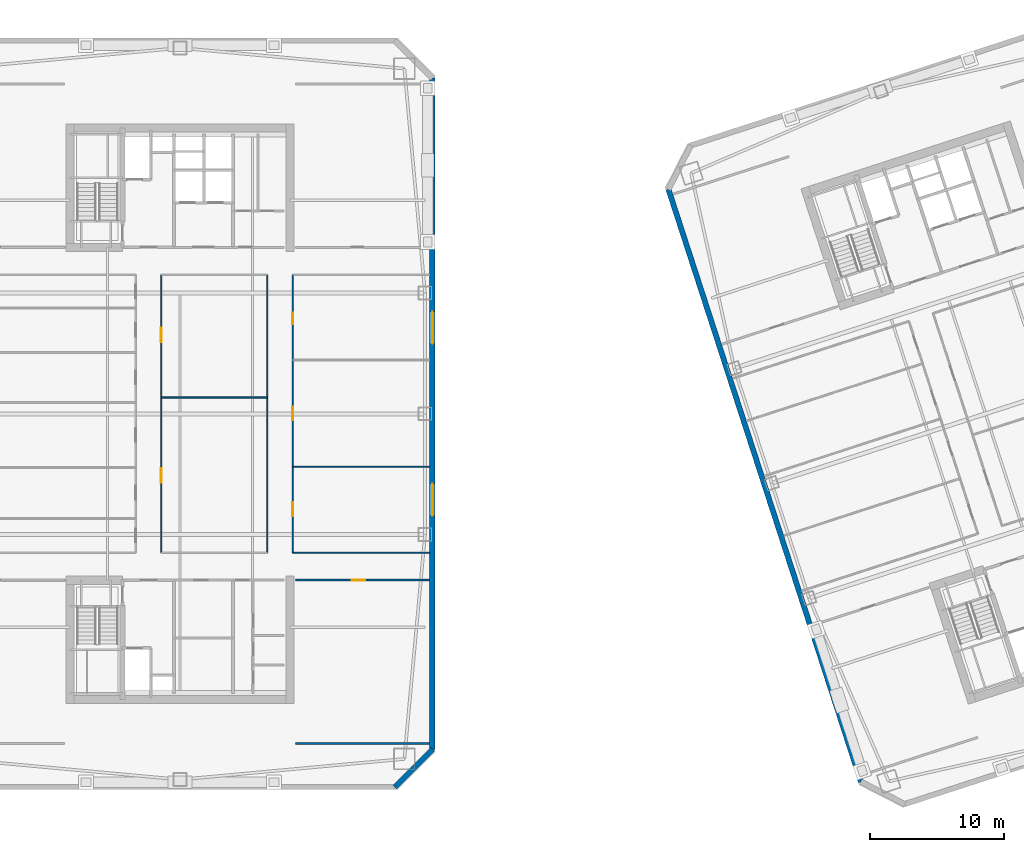
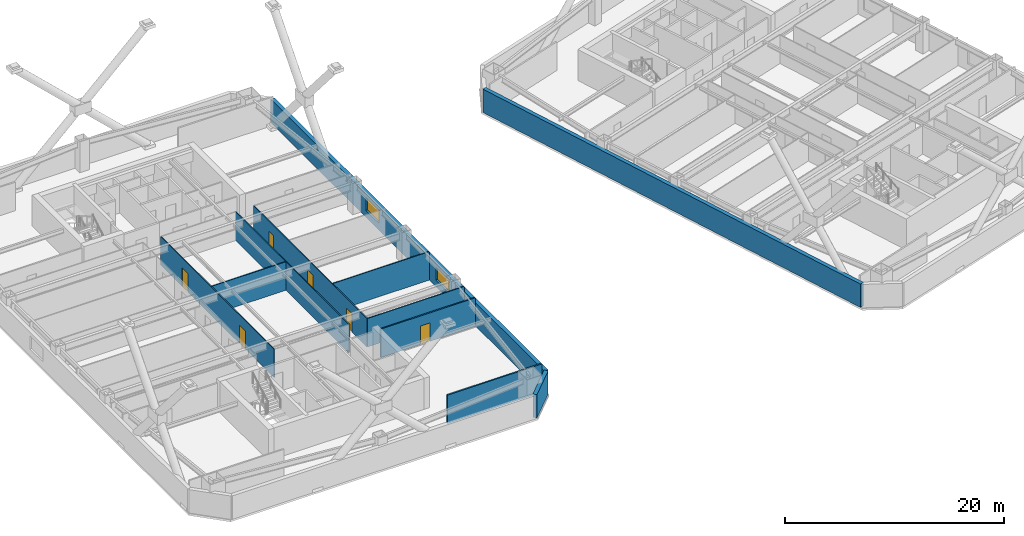
# One storey, part 5 of 12: 11 walls, 6 doors, 2 windows, 8 openings.
"""IFC4 building model written with IfcOpenShell, lengths in metres."""

from ifc_helpers import new_model, si_unit, direction, frame, frame_2d, origin, place, context, subcontext, project, spatial, rectangle, extrude, material, layer, layer_set, type_object, element, fill, save


model = new_model("IFC4")

# Units and contexts
model_context = context("Model", 3, precision=1e-05, world=origin(), true_north=direction((0.0, 1.0)))
body_context = subcontext(model_context, "Body", "Model", "MODEL_VIEW")
ifc_project = project(units=[si_unit("LENGTHUNIT", "METRE"), si_unit("AREAUNIT", "SQUARE_METRE"), si_unit("VOLUMEUNIT", "CUBIC_METRE"), si_unit("PLANEANGLEUNIT", "RADIAN"), si_unit("MASSUNIT", "GRAM", prefix="KILO")], contexts=[model_context])

# Site, building, storey
site_placement = place(None, origin())
site = spatial("IfcSite", under=ifc_project, at=site_placement, CompositionType="ELEMENT")
building_placement = place(site_placement, origin())
building = spatial("IfcBuilding", under=site, at=building_placement, Name="Qiaolan Cultural Towers", CompositionType="ELEMENT")
storey_placement = place(building_placement, frame((0.0, 0.0, 106.949951171875)))
storey = spatial("IfcBuildingStorey", under=building, at=storey_placement, Name="L27", CompositionType="ELEMENT", Elevation=106.949951171875)

# Wall, openings, windows
ifc_material_1 = material(Name="Precast Concrete C50 Honed Stone Pier", Category="masonry")
ifc_layer_1 = layer(ifc_material_1, 0.39990234375)
ifc_layer_set_1 = layer_set([ifc_layer_1], Name="Precast Concrete C50 Honed Stone Pier")
wall_type_1 = type_object("IfcWallType", Name="WL-EXT-PIER-400", PredefinedType="SOLIDWALL", material=ifc_layer_set_1)
wall_1_placement = place(storey_placement, frame((48.800048828125, 59.0, 0.0), z_axis=(0.0, 0.0, 1.0), x_axis=(0.0, -1.0, 0.0)))
wall_1 = element("IfcWall", 1, at=wall_1_placement, inside=storey, type_object=wall_type_1, Name="L27 West Tower Precast Pier Facade Wall F5", PredefinedType="SOLIDWALL", context=body_context, shape_type="SweptSolid", body=[
    extrude(rectangle(XDim=50.0, YDim=0.39990234375, at=frame_2d((25.0, 0.0))), origin(), (0.0, 0.0, 1.0), 2.610107421875),
])
opening_1_placement = place(wall_1_placement, frame((30.199951171875, 0.0, 0.75)))
opening_1 = element("IfcOpeningElement", 2, at=opening_1_placement, cuts=wall_1, Name="Opening W-02", PredefinedType="OPENING", context=body_context, shape_type="SweptSolid", body=[
    extrude(rectangle(XDim=2.39990234375, YDim=1.4599609375, at=frame_2d((1.199951171875, 0.72998046875))), frame((0.0, 0.2099609375, 0.0), z_axis=(0.0, -1.0, 0.0), x_axis=(1.0, 0.0, 0.0)), (0.0, 0.0, 1.0), 0.419921875),
])
opening_2_placement = place(wall_1_placement, frame((17.39990234375, 0.0, 0.75)))
opening_2 = element("IfcOpeningElement", 3, at=opening_2_placement, cuts=wall_1, Name="Opening W-02", PredefinedType="OPENING", context=body_context, shape_type="SweptSolid", body=[
    extrude(rectangle(XDim=2.39990234375, YDim=1.4599609375, at=frame_2d((1.199951171875, 0.72998046875))), frame((0.0, 0.2099609375, 0.0), z_axis=(0.0, -1.0, 0.0), x_axis=(1.0, 0.0, 0.0)), (0.0, 0.0, 1.0), 0.419921875),
])
ifc_material_2 = material(Name="Thermally Broken Aluminium Triple Low-E Glazing", Category="aluminium")
window_type = type_object("IfcWindowType", Name="WN-CHIC-2400", PartitioningType="SINGLE_PANEL", PredefinedType="WINDOW", material=ifc_material_2)
window_1_placement = place(opening_1_placement, origin())
window_1 = element("IfcWindow", 4, at=window_1_placement, inside=storey, type_object=window_type, Name="L27 T1 E Chicago Bay Window 1", OverallHeight=1.4599609375, OverallWidth=2.39990234375, PartitioningType="TRIPLE_PANEL_VERTICAL", PredefinedType="WINDOW", context=body_context, shape_type="SweptSolid", body=[
    extrude(rectangle(XDim=2.39990234375, YDim=1.4599609375, at=frame_2d((1.199951171875, 0.72998046875))), frame((0.0, 0.030029296875, 0.0), z_axis=(0.0, -1.0, 0.0), x_axis=(1.0, 0.0, 0.0)), (0.0, 0.0, 1.0), 0.06005859375),
])
fill(opening_1, window_1)
window_2_placement = place(opening_2_placement, origin())
window_2 = element("IfcWindow", 5, at=window_2_placement, inside=storey, type_object=window_type, Name="L27 T1 E Chicago Bay Window 2", OverallHeight=1.4599609375, OverallWidth=2.39990234375, PartitioningType="TRIPLE_PANEL_VERTICAL", PredefinedType="WINDOW", context=body_context, shape_type="SweptSolid", body=[
    extrude(rectangle(XDim=2.39990234375, YDim=1.4599609375, at=frame_2d((1.199951171875, 0.72998046875))), frame((0.0, 0.030029296875, 0.0), z_axis=(0.0, -1.0, 0.0), x_axis=(1.0, 0.0, 0.0)), (0.0, 0.0, 1.0), 0.06005859375),
])
fill(opening_2, window_2)

# Walls
wall_2_placement = place(storey_placement, frame((48.800048828125, 9.0, 0.0), z_axis=(0.0, 0.0, 1.0), x_axis=(-0.707106781187, -0.707106781187, 0.0)))
element("IfcWall", 6, at=wall_2_placement, inside=storey, type_object=wall_type_1, Name="L27 West Tower Precast Pier Facade Wall F6", PredefinedType="SOLIDWALL", context=body_context, shape_type="SweptSolid", body=[
    extrude(rectangle(XDim=3.9599609375, YDim=0.39990234375, at=frame_2d((1.97998046875, 0.0))), origin(), (0.0, 0.0, 1.0), 2.610107421875),
])
wall_3_placement = place(storey_placement, frame((80.7158203125, 6.589599609375, 0.0), z_axis=(0.0, 0.0, 1.0), x_axis=(-0.309017542002, 0.95105633836, 0.0)))
element("IfcWall", 7, at=wall_3_placement, inside=storey, type_object=wall_type_1, Name="L27 East Tower Precast Pier Facade Wall F1", PredefinedType="SOLIDWALL", context=body_context, shape_type="SweptSolid", body=[
    extrude(rectangle(XDim=46.39990234375, YDim=0.39990234375, at=frame_2d((23.199951171875, 0.0))), origin(), (0.0, 0.0, 1.0), 2.610107421875),
])
ifc_material_3 = material(Name="Acoustic Double-Glazed Partition Frame", Category="glass")
ifc_layer_2 = layer(ifc_material_3, 0.10009765625)
ifc_layer_set_2 = layer_set([ifc_layer_2], Name="Acoustic Double-Glazed Partition Frame")
wall_type_2 = type_object("IfcWallType", Name="WL-GLAZED-100", PredefinedType="MOVABLE", material=ifc_layer_set_2)
wall_4_placement = place(storey_placement, frame((38.39990234375, 23.64990234375, 0.0), z_axis=(0.0, 0.0, 1.0), x_axis=(1.0, 0.0, 0.0)))
element("IfcWall", 8, at=wall_4_placement, inside=storey, type_object=wall_type_2, Name="L27 T1 Interior Wall", PredefinedType="MOVABLE", context=body_context, shape_type="SweptSolid", body=[
    extrude(rectangle(XDim=10.2001953125, YDim=0.10009765625, at=frame_2d((5.10009765625, 0.0))), origin(), (0.0, 0.0, 1.0), 3.175048828125),
])

# Wall, openings, doors
wall_5_placement = place(storey_placement, frame((28.60009765625, 23.64990234375, 0.0), z_axis=(0.0, 0.0, 1.0), x_axis=(0.0, 1.0, 0.0)))
wall_5 = element("IfcWall", 9, at=wall_5_placement, inside=storey, type_object=wall_type_2, Name="L27 T1 Interior Wall", PredefinedType="MOVABLE", context=body_context, shape_type="SweptSolid", body=[
    extrude(rectangle(XDim=20.7001953125, YDim=0.10009765625, at=frame_2d((10.35009765625, 0.0))), origin(), (0.0, 0.0, 1.0), 3.175048828125),
])
opening_3_placement = place(wall_5_placement, frame((5.197509765625, 0.0, 0.0)))
opening_3 = element("IfcOpeningElement", 10, at=opening_3_placement, cuts=wall_5, Name="Opening ID-03", PredefinedType="OPENING", context=body_context, shape_type="SweptSolid", body=[
    extrude(rectangle(XDim=1.10009765625, YDim=2.050048828125, at=frame_2d((0.550048828125, 1.02490234375))), frame((0.0, 0.06005859375, 0.0), z_axis=(0.0, -1.0, 0.0), x_axis=(1.0, 0.0, 0.0)), (0.0, 0.0, 1.0), 0.1201171875),
])
opening_4_placement = place(wall_5_placement, frame((15.66748046875, 0.0, 0.0)))
opening_4 = element("IfcOpeningElement", 11, at=opening_4_placement, cuts=wall_5, Name="Opening ID-03", PredefinedType="OPENING", context=body_context, shape_type="SweptSolid", body=[
    extrude(rectangle(XDim=1.10009765625, YDim=2.050048828125, at=frame_2d((0.550048828125, 1.02490234375))), frame((0.0, 0.06005859375, 0.0), z_axis=(0.0, -1.0, 0.0), x_axis=(1.0, 0.0, 0.0)), (0.0, 0.0, 1.0), 0.1201171875),
])
ifc_material_4 = material(Name="Oak Veneer Solid-Core Boardroom Door", Category="timber")
door_type_1 = type_object("IfcDoorType", Name="DR-INT-1100", OperationType="NOTDEFINED", PredefinedType="DOOR", material=ifc_material_4)
door_1_placement = place(opening_3_placement, origin())
door_1 = element("IfcDoor", 12, at=door_1_placement, inside=storey, type_object=door_type_1, Name="L27 T1 Central Boardroom Door", OperationType="SINGLE_SWING_LEFT", OverallHeight=2.050048828125, OverallWidth=1.10009765625, PredefinedType="DOOR", context=body_context, shape_type="SweptSolid", body=[
    extrude(rectangle(XDim=1.10009765625, YDim=2.050048828125, at=frame_2d((0.550048828125, 1.02490234375))), frame((0.0, 0.02490234375, 0.0), z_axis=(0.0, -1.0, 0.0), x_axis=(1.0, 0.0, 0.0)), (0.0, 0.0, 1.0), 0.050048828125),
])
fill(opening_3, door_1)
door_2_placement = place(opening_4_placement, origin())
door_2 = element("IfcDoor", 13, at=door_2_placement, inside=storey, type_object=door_type_1, Name="L27 T1 Central Archive Salon Door", OperationType="SINGLE_SWING_RIGHT", OverallHeight=2.050048828125, OverallWidth=1.10009765625, PredefinedType="DOOR", context=body_context, shape_type="SweptSolid", body=[
    extrude(rectangle(XDim=1.10009765625, YDim=2.050048828125, at=frame_2d((0.550048828125, 1.02490234375))), frame((0.0, 0.02490234375, 0.0), z_axis=(0.0, -1.0, 0.0), x_axis=(1.0, 0.0, 0.0)), (0.0, 0.0, 1.0), 0.050048828125),
])
fill(opening_4, door_2)

# Wall
wall_6_placement = place(storey_placement, frame((36.5, 23.64990234375, 0.0), z_axis=(0.0, 0.0, 1.0), x_axis=(0.0, 1.0, 0.0)))
element("IfcWall", 14, at=wall_6_placement, inside=storey, type_object=wall_type_2, Name="L27 T1 Interior Wall", PredefinedType="MOVABLE", context=body_context, shape_type="SweptSolid", body=[
    extrude(rectangle(XDim=20.7001953125, YDim=0.10009765625, at=frame_2d((10.35009765625, 0.0))), origin(), (0.0, 0.0, 1.0), 3.175048828125),
])

# Wall, openings, doors
wall_7_placement = place(storey_placement, frame((38.39990234375, 23.64990234375, 0.0), z_axis=(0.0, 0.0, 1.0), x_axis=(0.0, 1.0, 0.0)))
wall_7 = element("IfcWall", 15, at=wall_7_placement, inside=storey, type_object=wall_type_2, Name="L27 T1 Interior Wall", PredefinedType="MOVABLE", context=body_context, shape_type="SweptSolid", body=[
    extrude(rectangle(XDim=20.7001953125, YDim=0.10009765625, at=frame_2d((10.35009765625, 0.0))), origin(), (0.0, 0.0, 1.0), 3.175048828125),
])
opening_5_placement = place(wall_7_placement, frame((2.699462890625, 0.0, 0.0)))
opening_5 = element("IfcOpeningElement", 16, at=opening_5_placement, cuts=wall_7, Name="Opening ID-07", PredefinedType="OPENING", context=body_context, shape_type="SweptSolid", body=[
    extrude(rectangle(XDim=1.050048828125, YDim=2.050048828125, at=frame_2d((0.52490234375, 1.02490234375))), frame((0.0, 0.06005859375, 0.0), z_axis=(0.0, -1.0, 0.0), x_axis=(1.0, 0.0, 0.0)), (0.0, 0.0, 1.0), 0.1201171875),
])
opening_6_placement = place(wall_7_placement, frame((9.87451171875, 0.0, 0.0)))
opening_6 = element("IfcOpeningElement", 17, at=opening_6_placement, cuts=wall_7, Name="Opening ID-04", PredefinedType="OPENING", context=body_context, shape_type="SweptSolid", body=[
    extrude(rectangle(XDim=1.0, YDim=2.050048828125, at=frame_2d((0.5, 1.02490234375))), frame((0.0, 0.06005859375, 0.0), z_axis=(0.0, -1.0, 0.0), x_axis=(1.0, 0.0, 0.0)), (0.0, 0.0, 1.0), 0.1201171875),
])
opening_7_placement = place(wall_7_placement, frame((17.02490234375, 0.0, 0.0)))
opening_7 = element("IfcOpeningElement", 18, at=opening_7_placement, cuts=wall_7, Name="Opening ID-09", PredefinedType="OPENING", context=body_context, shape_type="SweptSolid", body=[
    extrude(rectangle(XDim=0.85009765625, YDim=2.050048828125, at=frame_2d((0.425048828125, 1.02490234375))), frame((0.0, 0.06005859375, 0.0), z_axis=(0.0, -1.0, 0.0), x_axis=(1.0, 0.0, 0.0)), (0.0, 0.0, 1.0), 0.1201171875),
])
ifc_material_5 = material(Name="Oak Veneer Acoustic Office Door", Category="timber")
door_type_2 = type_object("IfcDoorType", Name="DR-INT-1000", OperationType="NOTDEFINED", PredefinedType="DOOR", material=ifc_material_5)
door_3_placement = place(opening_6_placement, origin())
door_3 = element("IfcDoor", 19, at=door_3_placement, inside=storey, type_object=door_type_2, Name="L27 T1 Client Boardroom Door", OperationType="SINGLE_SWING_LEFT", OverallHeight=2.050048828125, OverallWidth=1.0, PredefinedType="DOOR", context=body_context, shape_type="SweptSolid", body=[
    extrude(rectangle(XDim=1.0, YDim=2.050048828125, at=frame_2d((0.5, 1.02490234375))), frame((0.0, 0.02490234375, 0.0), z_axis=(0.0, -1.0, 0.0), x_axis=(1.0, 0.0, 0.0)), (0.0, 0.0, 1.0), 0.050048828125),
])
fill(opening_6, door_3)
ifc_material_6 = material(Name="Oak Veneer Consultation Door", Category="timber")
door_type_3 = type_object("IfcDoorType", Name="DR-INT-1050", OperationType="NOTDEFINED", PredefinedType="DOOR", material=ifc_material_6)
door_4_placement = place(opening_5_placement, origin())
door_4 = element("IfcDoor", 20, at=door_4_placement, inside=storey, type_object=door_type_3, Name="L27 T1 Client Boardroom Door", OperationType="SINGLE_SWING_RIGHT", OverallHeight=2.050048828125, OverallWidth=1.050048828125, PredefinedType="DOOR", context=body_context, shape_type="SweptSolid", body=[
    extrude(rectangle(XDim=1.050048828125, YDim=2.050048828125, at=frame_2d((0.52490234375, 1.02490234375))), frame((0.0, 0.02490234375, 0.0), z_axis=(0.0, -1.0, 0.0), x_axis=(1.0, 0.0, 0.0)), (0.0, 0.0, 1.0), 0.050048828125),
])
fill(opening_5, door_4)
ifc_material_7 = material(Name="Moisture-Resistant Laminate Utility Door", Category="timber")
door_type_4 = type_object("IfcDoorType", Name="DR-INT-850", OperationType="NOTDEFINED", PredefinedType="DOOR", material=ifc_material_7)
door_5_placement = place(opening_7_placement, origin())
door_5 = element("IfcDoor", 21, at=door_5_placement, inside=storey, type_object=door_type_4, Name="L27 T1 Reception Lounge Door", OperationType="SINGLE_SWING_RIGHT", OverallHeight=2.050048828125, OverallWidth=0.85009765625, PredefinedType="DOOR", context=body_context, shape_type="SweptSolid", body=[
    extrude(rectangle(XDim=0.85009765625, YDim=2.050048828125, at=frame_2d((0.425048828125, 1.02490234375))), frame((0.0, 0.02490234375, 0.0), z_axis=(0.0, -1.0, 0.0), x_axis=(1.0, 0.0, 0.0)), (0.0, 0.0, 1.0), 0.050048828125),
])
fill(opening_7, door_5)

# Walls
wall_8_placement = place(storey_placement, frame((28.60009765625, 35.199951171875, 0.0), z_axis=(0.0, 0.0, 1.0), x_axis=(1.0, 0.0, 0.0)))
element("IfcWall", 22, at=wall_8_placement, inside=storey, type_object=wall_type_2, Name="L27 T1 Interior Wall", PredefinedType="MOVABLE", context=body_context, shape_type="SweptSolid", body=[
    extrude(rectangle(XDim=7.89990234375, YDim=0.10009765625, at=frame_2d((3.949951171875, 0.0))), origin(), (0.0, 0.0, 1.0), 3.175048828125),
])
wall_9_placement = place(storey_placement, frame((38.39990234375, 30.049072265625, 0.0), z_axis=(0.0, 0.0, 1.0), x_axis=(1.0, 0.0, 0.0)))
element("IfcWall", 23, at=wall_9_placement, inside=storey, type_object=wall_type_2, Name="L27 T1 Interior Wall", PredefinedType="MOVABLE", context=body_context, shape_type="SweptSolid", body=[
    extrude(rectangle(XDim=10.2001953125, YDim=0.10009765625, at=frame_2d((5.10009765625, 0.0))), origin(), (0.0, 0.0, 1.0), 3.175048828125),
])
ifc_material_8 = material(Name="Autoclaved Aerated Concrete Block B06", Category="concrete")
ifc_layer_3 = layer(ifc_material_8, 0.14990234375)
ifc_layer_set_3 = layer_set([ifc_layer_3], Name="Autoclaved Aerated Concrete Block B06")
wall_type_3 = type_object("IfcWallType", Name="WL-PART-150", PredefinedType="PARTITIONING", material=ifc_layer_set_3)
wall_10_placement = place(storey_placement, frame((38.60009765625, 9.449951171875, 0.0), z_axis=(0.0, 0.0, 1.0), x_axis=(1.0, 0.0, 0.0)))
element("IfcWall", 24, at=wall_10_placement, inside=storey, type_object=wall_type_3, Name="L27 T1 Flank Wall FLK-SE", PredefinedType="PARTITIONING", context=body_context, shape_type="SweptSolid", body=[
    extrude(rectangle(XDim=10.0, YDim=0.14990234375, at=frame_2d((5.0, 0.0))), origin(), (0.0, 0.0, 1.0), 3.175048828125),
])

# Wall, opening, door
wall_11_placement = place(storey_placement, frame((38.60009765625, 21.60009765625, 0.0), z_axis=(0.0, 0.0, 1.0), x_axis=(1.0, 0.0, 0.0)))
wall_11 = element("IfcWall", 25, at=wall_11_placement, inside=storey, type_object=wall_type_3, Name="L27 T1 Flank Front FLK-SE", PredefinedType="PARTITIONING", context=body_context, shape_type="SweptSolid", body=[
    extrude(rectangle(XDim=10.0, YDim=0.14990234375, at=frame_2d((5.0, 0.0))), origin(), (0.0, 0.0, 1.0), 3.175048828125),
])
opening_8_placement = place(wall_11_placement, frame((4.199951171875, 0.0, 0.0)))
opening_8 = element("IfcOpeningElement", 26, at=opening_8_placement, cuts=wall_11, Name="Opening ID-04", PredefinedType="OPENING", context=body_context, shape_type="SweptSolid", body=[
    extrude(rectangle(XDim=1.0, YDim=2.050048828125, at=frame_2d((0.5, 1.02490234375))), frame((0.0, 0.0849609375, 0.0), z_axis=(0.0, -1.0, 0.0), x_axis=(1.0, 0.0, 0.0)), (0.0, 0.0, 1.0), 0.169921875),
])
door_6_placement = place(opening_8_placement, origin())
door_6 = element("IfcDoor", 27, at=door_6_placement, inside=storey, type_object=door_type_2, Name="L27 T1 Corner Studio Door", OperationType="SINGLE_SWING_LEFT", OverallHeight=2.050048828125, OverallWidth=1.0, PredefinedType="DOOR", context=body_context, shape_type="SweptSolid", body=[
    extrude(rectangle(XDim=1.0, YDim=2.050048828125, at=frame_2d((0.5, 1.02490234375))), frame((0.0, 0.02490234375, 0.0), z_axis=(0.0, -1.0, 0.0), x_axis=(1.0, 0.0, 0.0)), (0.0, 0.0, 1.0), 0.050048828125),
])
fill(opening_8, door_6)

save(model, "model.ifc")
